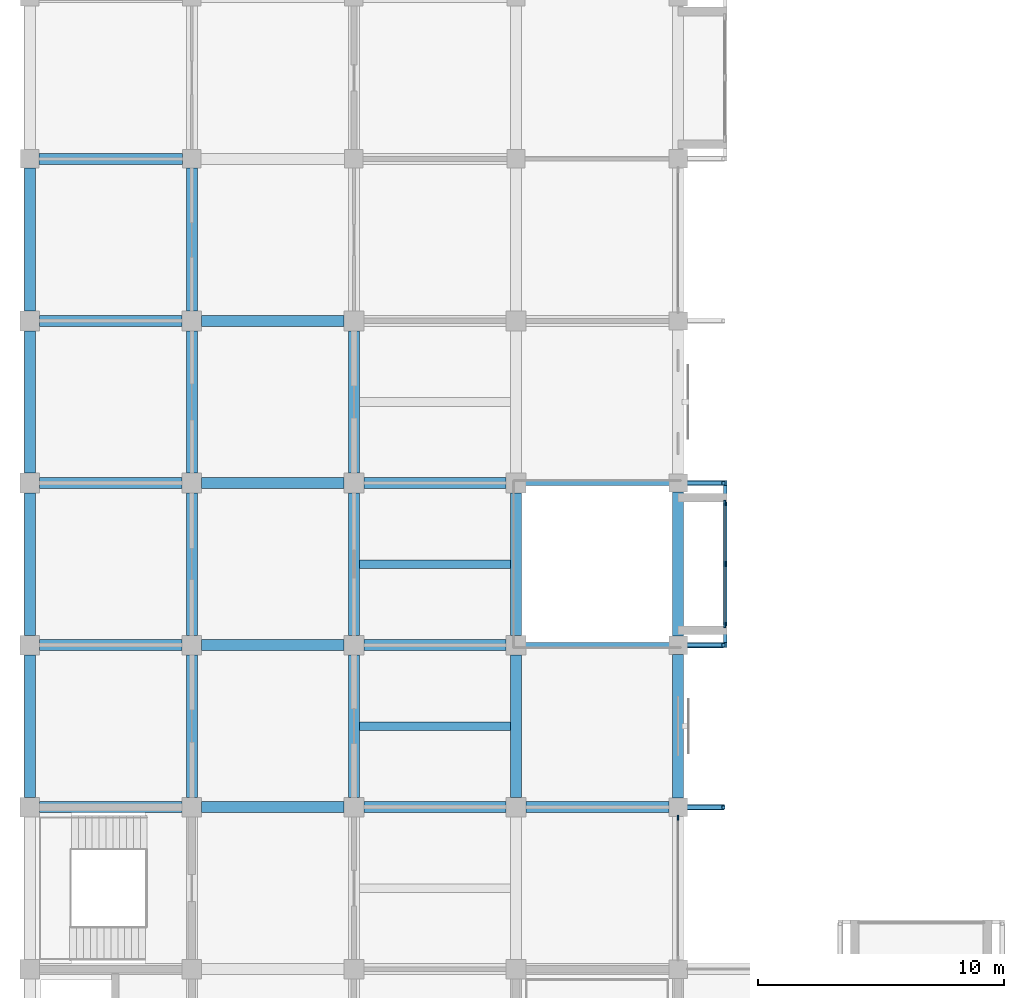
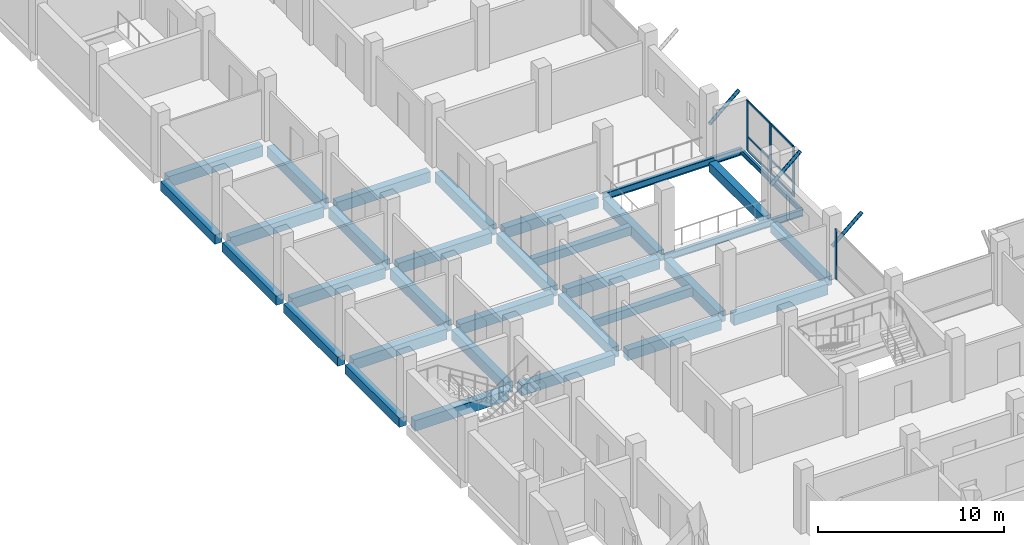
# One storey, part 3 of 14: 33 beams, 13 members, 2 elements without a shape of their own.
"""IFC4 building model written with IfcOpenShell, lengths in metres."""

from ifc_helpers import new_model, si_unit, direction, frame, origin, origin_2d, place, context, subcontext, project, spatial, rectangle, hollow_circle, i_section, extrude, material, material_profile, profile_set, type_object, element, aggregate, save


model = new_model("IFC4")

# Units and contexts
model_context = context("Model", 3, precision=1e-05, world=origin(), true_north=direction((0.0, 1.0)))
body_context = subcontext(model_context, "Body", "Model", "MODEL_VIEW")
ifc_project = project(units=[si_unit("LENGTHUNIT", "METRE"), si_unit("AREAUNIT", "SQUARE_METRE"), si_unit("VOLUMEUNIT", "CUBIC_METRE"), si_unit("PLANEANGLEUNIT", "RADIAN"), si_unit("MASSUNIT", "GRAM", prefix="KILO")], contexts=[model_context])

# Site, building, storey
site_placement = place(None, origin())
site = spatial("IfcSite", under=ifc_project, at=site_placement, CompositionType="ELEMENT")
building_placement = place(site_placement, origin())
building = spatial("IfcBuilding", under=site, at=building_placement, Name="Rusizi Kubbe Research Institute", CompositionType="ELEMENT")
storey_placement = place(building_placement, frame((0.0, 0.0, 31.199951171875)))
storey = spatial("IfcBuildingStorey", under=building, at=storey_placement, Name="L07", CompositionType="ELEMENT", Elevation=31.199951171875)

# Beams
ifc_material_1 = material(Name="Steel S355", Category="steel")
ifc_material_profile_1 = material_profile(ifc_material_1, i_section(OverallWidth=0.14990234375, OverallDepth=0.300048828125, WebThickness=0.007080078125, FlangeThickness=0.0107421875, at=origin_2d()), Name="IPE 300")
ifc_profile_set_1 = profile_set([ifc_material_profile_1], Name="Steel S355")
beam_type_1 = type_object("IfcBeamType", Name="BM-IPE300", PredefinedType="BEAM", material=ifc_profile_set_1)
beam_1_placement = place(storey_placement, frame((28.324951171875, 39.695068359375, -0.47998046875), z_axis=(0.0, 1.0, 0.0), x_axis=(-1.0, 0.0, 0.0)))
element("IfcBeam", 1, at=beam_1_placement, inside=storey, type_object=beam_type_1, Name="Cumba Edge Tie Beam L07-1", PredefinedType="BEAM", context=body_context, shape_type="SweptSolid", body=[
    extrude(i_section(OverallWidth=0.14990234375, OverallDepth=0.300048828125, WebThickness=0.007080078125, FlangeThickness=0.0107421875, at=origin_2d()), origin(), (0.0, 0.0, 1.0), 6.409912109375),
])
ifc_material_2 = material(Name="Steel S355", Category="steel")
ifc_material_profile_2 = material_profile(ifc_material_2, i_section(OverallWidth=0.18994140625, OverallDepth=0.449951171875, WebThickness=0.009521484375, FlangeThickness=0.0146484375, at=origin_2d()), Name="IPE 450")
ifc_profile_set_2 = profile_set([ifc_material_profile_2], Name="Steel S355")
beam_type_2 = type_object("IfcBeamType", Name="BM-IPE450", PredefinedType="BEAM", material=ifc_profile_set_2)
for number, where, z_axis, x_axis, name in (
    (2, (19.800048828125, 39.60009765625, -0.554931640625), (1.0, 0.0, 0.0), (0.0, 1.0, 0.0), "Cumba Back-Spanned Cantilever Beam L07-1S"),
    (3, (19.800048828125, 46.199951171875, -0.554931640625), (1.0, 0.0, 0.0), (0.0, 1.0, 0.0), "Cumba Back-Spanned Cantilever Beam L07-1N"),
):
    element("IfcBeam", number, at=place(storey_placement, frame(where, z_axis=z_axis, x_axis=x_axis)), inside=storey, type_object=beam_type_2, Name=name, PredefinedType="BEAM", context=body_context, shape_type="SweptSolid", body=[
        extrude(i_section(OverallWidth=0.18994140625, OverallDepth=0.449951171875, WebThickness=0.009521484375, FlangeThickness=0.0146484375, at=origin_2d()), origin(), (0.0, 0.0, 1.0), 8.599853515625),
    ])
ifc_material_3 = material(Name="Concrete C40/50", Category="concrete")
ifc_material_profile_3 = material_profile(ifc_material_3, rectangle(XDim=0.35009765625, YDim=0.550048828125, at=origin_2d()), Name="RC350x550")
ifc_profile_set_3 = profile_set([ifc_material_profile_3], Name="Concrete C40/50")
beam_type_3 = type_object("IfcBeamType", Name="BM-RC350x550", PredefinedType="JOIST", material=ifc_profile_set_3)
for number, where, z_axis, x_axis, name in (
    (4, (13.425048828125, 36.300048828125, -0.60498046875), (1.0, 0.0, 0.0), (0.0, 1.0, 0.0), "Lab Stiffener Joist L07 (2,5)"),
    (5, (13.425048828125, 42.89990234375, -0.60498046875), (1.0, 0.0, 0.0), (0.0, 1.0, 0.0), "Lab Stiffener Joist L07 (2,6)"),
):
    element("IfcBeam", number, at=place(storey_placement, frame(where, z_axis=z_axis, x_axis=x_axis)), inside=storey, type_object=beam_type_3, Name=name, PredefinedType="JOIST", context=body_context, shape_type="SweptSolid", body=[
        extrude(rectangle(XDim=0.35009765625, YDim=0.550048828125, at=origin_2d()), origin(), (0.0, 0.0, 1.0), 6.14990234375),
    ])
ifc_material_4 = material(Name="Concrete C40/50", Category="concrete")
ifc_material_profile_4 = material_profile(ifc_material_4, rectangle(XDim=0.449951171875, YDim=0.60009765625, at=origin_2d()), Name="RC450x600")
ifc_profile_set_4 = profile_set([ifc_material_profile_4], Name="Concrete C40/50")
beam_type_4 = type_object("IfcBeamType", Name="BM-RC450x600", PredefinedType="SPANDREL", material=ifc_profile_set_4)
for number, where, z_axis, x_axis, name in (
    (6, (0.0, 33.39990234375, -0.6298828125), (0.0, 1.0, 0.0), (-1.0, 0.0, 0.0), "Grid Beam V L07 (0,5)"),
    (7, (0.0, 40.0, -0.6298828125), (0.0, 1.0, 0.0), (-1.0, 0.0, 0.0), "Grid Beam V L07 (0,6)"),
):
    element("IfcBeam", number, at=place(storey_placement, frame(where, z_axis=z_axis, x_axis=x_axis)), inside=storey, type_object=beam_type_4, Name=name, PredefinedType="SPANDREL", context=body_context, shape_type="SweptSolid", body=[
        extrude(rectangle(XDim=0.449951171875, YDim=0.60009765625, at=origin_2d()), origin(), (0.0, 0.0, 1.0), 5.800048828125),
    ])
beam_2_placement = place(storey_placement, frame((0.0, 46.60009765625, -0.6298828125), z_axis=(0.0, 1.0, 0.0), x_axis=(-1.0, 0.0, 0.0)))
element("IfcBeam", 8, at=beam_2_placement, inside=storey, type_object=beam_type_4, Name="Grid Beam V L07 (0,7)", PredefinedType="SPANDREL", context=body_context, shape_type="SweptSolid", body=[
    extrude(rectangle(XDim=0.449951171875, YDim=0.60009765625, at=origin_2d()), origin(), (0.0, 0.0, 1.0), 5.7998046875),
])
beam_3_placement = place(storey_placement, frame((0.0, 53.199951171875, -0.6298828125), z_axis=(0.0, 1.0, 0.0), x_axis=(-1.0, 0.0, 0.0)))
element("IfcBeam", 9, at=beam_3_placement, inside=storey, type_object=beam_type_4, Name="Grid Beam V L07 (0,8)", PredefinedType="SPANDREL", context=body_context, shape_type="SweptSolid", body=[
    extrude(rectangle(XDim=0.449951171875, YDim=0.60009765625, at=origin_2d()), origin(), (0.0, 0.0, 1.0), 5.824951171875),
])
beam_4_placement = place(storey_placement, frame((26.39990234375, 33.375, -0.6298828125), z_axis=(0.0, 1.0, 0.0), x_axis=(-1.0, 0.0, 0.0)))
element("IfcBeam", 10, at=beam_4_placement, inside=storey, type_object=beam_type_4, Name="Grid Beam V L07 (4,5)", PredefinedType="SPANDREL", context=body_context, shape_type="SweptSolid", body=[
    extrude(rectangle(XDim=0.449951171875, YDim=0.60009765625, at=origin_2d()), origin(), (0.0, 0.0, 1.0), 5.85009765625),
])
beam_5_placement = place(storey_placement, frame((26.39990234375, 39.97509765625, -0.6298828125), z_axis=(0.0, 1.0, 0.0), x_axis=(-1.0, 0.0, 0.0)))
element("IfcBeam", 11, at=beam_5_placement, inside=storey, type_object=beam_type_4, Name="Grid Beam V L07 (4,6)", PredefinedType="SPANDREL", context=body_context, shape_type="SweptSolid", body=[
    extrude(rectangle(XDim=0.449951171875, YDim=0.60009765625, at=origin_2d()), origin(), (0.0, 0.0, 1.0), 5.849853515625),
])
ifc_material_5 = material(Name="Concrete C40/50", Category="concrete")
ifc_material_profile_5 = material_profile(ifc_material_5, rectangle(XDim=0.449951171875, YDim=0.699951171875, at=origin_2d()), Name="RC450x700B")
ifc_profile_set_5 = profile_set([ifc_material_profile_5], Name="Concrete C40/50")
beam_type_5 = type_object("IfcBeamType", Name="BM-RC450x700", PredefinedType="BEAM", material=ifc_profile_set_5)
for number, where, z_axis, x_axis, name in (
    (12, (0.39990234375, 33.0, -0.679931640625), (1.0, 0.0, 0.0), (0.0, 1.0, 0.0), "Grid Beam H L07 (0,5)"),
    (13, (0.39990234375, 39.60009765625, -0.679931640625), (1.0, 0.0, 0.0), (0.0, 1.0, 0.0), "Grid Beam H L07 (0,6)"),
    (14, (0.39990234375, 46.199951171875, -0.679931640625), (1.0, 0.0, 0.0), (0.0, 1.0, 0.0), "Grid Beam H L07 (0,7)"),
    (15, (0.39990234375, 52.800048828125, -0.679931640625), (1.0, 0.0, 0.0), (0.0, 1.0, 0.0), "Grid Beam H L07 (0,8)"),
):
    element("IfcBeam", number, at=place(storey_placement, frame(where, z_axis=z_axis, x_axis=x_axis)), inside=storey, type_object=beam_type_5, Name=name, PredefinedType="BEAM", context=body_context, shape_type="SweptSolid", body=[
        extrude(rectangle(XDim=0.449951171875, YDim=0.699951171875, at=origin_2d()), origin(), (0.0, 0.0, 1.0), 5.800048828125),
    ])
beam_6_placement = place(storey_placement, frame((0.375, 59.39990234375, -0.679931640625), z_axis=(1.0, 0.0, 0.0), x_axis=(0.0, 1.0, 0.0)))
element("IfcBeam", 16, at=beam_6_placement, inside=storey, type_object=beam_type_5, Name="Grid Beam H L07 (0,9)", PredefinedType="BEAM", context=body_context, shape_type="SweptSolid", body=[
    extrude(rectangle(XDim=0.449951171875, YDim=0.699951171875, at=origin_2d()), origin(), (0.0, 0.0, 1.0), 5.85009765625),
])
for number, where, z_axis, x_axis, name in (
    (17, (7.0, 33.0, -0.679931640625), (1.0, 0.0, 0.0), (0.0, 1.0, 0.0), "Grid Beam H L07 (1,5)"),
    (18, (7.0, 39.60009765625, -0.679931640625), (1.0, 0.0, 0.0), (0.0, 1.0, 0.0), "Grid Beam H L07 (1,6)"),
    (19, (7.0, 46.199951171875, -0.679931640625), (1.0, 0.0, 0.0), (0.0, 1.0, 0.0), "Grid Beam H L07 (1,7)"),
    (20, (7.0, 52.800048828125, -0.679931640625), (1.0, 0.0, 0.0), (0.0, 1.0, 0.0), "Grid Beam H L07 (1,8)"),
):
    element("IfcBeam", number, at=place(storey_placement, frame(where, z_axis=z_axis, x_axis=x_axis)), inside=storey, type_object=beam_type_5, Name=name, PredefinedType="BEAM", context=body_context, shape_type="SweptSolid", body=[
        extrude(rectangle(XDim=0.449951171875, YDim=0.699951171875, at=origin_2d()), origin(), (0.0, 0.0, 1.0), 5.800048828125),
    ])
for number, where, z_axis, x_axis, name in (
    (21, (13.60009765625, 33.0, -0.679931640625), (1.0, 0.0, 0.0), (0.0, 1.0, 0.0), "Grid Beam H L07 (2,5)"),
    (22, (13.60009765625, 39.60009765625, -0.679931640625), (1.0, 0.0, 0.0), (0.0, 1.0, 0.0), "Grid Beam H L07 (2,6)"),
    (23, (13.60009765625, 46.199951171875, -0.679931640625), (1.0, 0.0, 0.0), (0.0, 1.0, 0.0), "Grid Beam H L07 (2,7)"),
):
    element("IfcBeam", number, at=place(storey_placement, frame(where, z_axis=z_axis, x_axis=x_axis)), inside=storey, type_object=beam_type_5, Name=name, PredefinedType="BEAM", context=body_context, shape_type="SweptSolid", body=[
        extrude(rectangle(XDim=0.449951171875, YDim=0.699951171875, at=origin_2d()), origin(), (0.0, 0.0, 1.0), 5.7998046875),
    ])
beam_7_placement = place(storey_placement, frame((20.199951171875, 33.0, -0.679931640625), z_axis=(1.0, 0.0, 0.0), x_axis=(0.0, 1.0, 0.0)))
element("IfcBeam", 24, at=beam_7_placement, inside=storey, type_object=beam_type_5, Name="Grid Beam H L07 (3,5)", PredefinedType="BEAM", context=body_context, shape_type="SweptSolid", body=[
    extrude(rectangle(XDim=0.449951171875, YDim=0.699951171875, at=origin_2d()), origin(), (0.0, 0.0, 1.0), 5.824951171875),
])
for number, where, z_axis, x_axis, name in (
    (25, (6.60009765625, 33.39990234375, -0.679931640625), (0.0, 1.0, 0.0), (-1.0, 0.0, 0.0), "Grid Beam V L07 (1,5)"),
    (26, (6.60009765625, 40.0, -0.679931640625), (0.0, 1.0, 0.0), (-1.0, 0.0, 0.0), "Grid Beam V L07 (1,6)"),
):
    element("IfcBeam", number, at=place(storey_placement, frame(where, z_axis=z_axis, x_axis=x_axis)), inside=storey, type_object=beam_type_5, Name=name, PredefinedType="BEAM", context=body_context, shape_type="SweptSolid", body=[
        extrude(rectangle(XDim=0.449951171875, YDim=0.699951171875, at=origin_2d()), origin(), (0.0, 0.0, 1.0), 5.800048828125),
    ])
beam_8_placement = place(storey_placement, frame((6.60009765625, 46.60009765625, -0.679931640625), z_axis=(0.0, 1.0, 0.0), x_axis=(-1.0, 0.0, 0.0)))
element("IfcBeam", 27, at=beam_8_placement, inside=storey, type_object=beam_type_5, Name="Grid Beam V L07 (1,7)", PredefinedType="BEAM", context=body_context, shape_type="SweptSolid", body=[
    extrude(rectangle(XDim=0.449951171875, YDim=0.699951171875, at=origin_2d()), origin(), (0.0, 0.0, 1.0), 5.7998046875),
])
beam_9_placement = place(storey_placement, frame((6.60009765625, 53.199951171875, -0.679931640625), z_axis=(0.0, 1.0, 0.0), x_axis=(-1.0, 0.0, 0.0)))
element("IfcBeam", 28, at=beam_9_placement, inside=storey, type_object=beam_type_5, Name="Grid Beam V L07 (1,8)", PredefinedType="BEAM", context=body_context, shape_type="SweptSolid", body=[
    extrude(rectangle(XDim=0.449951171875, YDim=0.699951171875, at=origin_2d()), origin(), (0.0, 0.0, 1.0), 5.824951171875),
])
for number, where, z_axis, x_axis, name in (
    (29, (13.199951171875, 33.39990234375, -0.679931640625), (0.0, 1.0, 0.0), (-1.0, 0.0, 0.0), "Grid Beam V L07 (2,5)"),
    (30, (13.199951171875, 40.0, -0.679931640625), (0.0, 1.0, 0.0), (-1.0, 0.0, 0.0), "Grid Beam V L07 (2,6)"),
):
    element("IfcBeam", number, at=place(storey_placement, frame(where, z_axis=z_axis, x_axis=x_axis)), inside=storey, type_object=beam_type_5, Name=name, PredefinedType="BEAM", context=body_context, shape_type="SweptSolid", body=[
        extrude(rectangle(XDim=0.449951171875, YDim=0.699951171875, at=origin_2d()), origin(), (0.0, 0.0, 1.0), 5.800048828125),
    ])
beam_10_placement = place(storey_placement, frame((13.199951171875, 46.60009765625, -0.679931640625), z_axis=(0.0, 1.0, 0.0), x_axis=(-1.0, 0.0, 0.0)))
element("IfcBeam", 31, at=beam_10_placement, inside=storey, type_object=beam_type_5, Name="Grid Beam V L07 (2,7)", PredefinedType="BEAM", context=body_context, shape_type="SweptSolid", body=[
    extrude(rectangle(XDim=0.449951171875, YDim=0.699951171875, at=origin_2d()), origin(), (0.0, 0.0, 1.0), 5.7998046875),
])
for number, where, z_axis, x_axis, name in (
    (32, (19.800048828125, 33.39990234375, -0.679931640625), (0.0, 1.0, 0.0), (-1.0, 0.0, 0.0), "Grid Beam V L07 (3,5)"),
    (33, (19.800048828125, 40.0, -0.679931640625), (0.0, 1.0, 0.0), (-1.0, 0.0, 0.0), "Grid Beam V L07 (3,6)"),
):
    element("IfcBeam", number, at=place(storey_placement, frame(where, z_axis=z_axis, x_axis=x_axis)), inside=storey, type_object=beam_type_5, Name=name, PredefinedType="BEAM", context=body_context, shape_type="SweptSolid", body=[
        extrude(rectangle(XDim=0.449951171875, YDim=0.699951171875, at=origin_2d()), origin(), (0.0, 0.0, 1.0), 5.800048828125),
    ])

# Members
ifc_material_6 = material(Name="Steel S355", Category="steel")
ifc_material_profile_6 = material_profile(ifc_material_6, hollow_circle(Radius=0.109619140625, WallThickness=0.008056640625, at=origin_2d()), Name="CHS 219.1x8.0")
ifc_profile_set_6 = profile_set([ifc_material_profile_6], Name="Steel S355")
member_type_1 = type_object("IfcMemberType", Name="MB-CHS219", PredefinedType="BRACE", material=ifc_profile_set_6)
for number, where, z_axis, x_axis, name in (
    (34, (26.39990234375, 33.0, 1.880126953125), (0.756409887843, 0.0, 0.654097914362), (0.0, 1.0, 0.0), "Cumba Diagonal Corbel Brace L08-1S"),
    (35, (26.39990234375, 39.60009765625, 1.880126953125), (0.756409887843, 0.0, 0.654097914362), (0.0, 1.0, 0.0), "Cumba Diagonal Corbel Brace L08-1N"),
    (36, (26.39990234375, 46.199951171875, 1.880126953125), (0.756409887843, 0.0, 0.654097914362), (0.0, 1.0, 0.0), "Cumba Diagonal Corbel Brace L08-4N"),
):
    element("IfcMember", number, at=place(storey_placement, frame(where, z_axis=z_axis, x_axis=x_axis)), inside=storey, type_object=member_type_1, Name=name, PredefinedType="BRACE", context=body_context, shape_type="SweptSolid", body=[
        extrude(hollow_circle(Radius=0.109619140625, WallThickness=0.008056640625, at=origin_2d()), origin(), (0.0, 0.0, 1.0), 2.44580078125),
    ])

# Curtain wall, member
ifc_material_7 = material(Name="Thermally Broken Aluminium and Low-E Glazing", Category="aluminium")
curtain_wall_type_1 = type_object("IfcCurtainWallType", Name="CW-10", PredefinedType="NOTDEFINED", material=ifc_material_7)
curtain_wall_1_placement = place(storey_placement, origin())
curtain_wall_1 = element("IfcCurtainWall", 37, at=curtain_wall_1_placement, inside=storey, type_object=curtain_wall_type_1, Name="Unitised Facade Curtain Wall CW-L07-V-04-04", PredefinedType="NOTDEFINED")
ifc_material_8 = material(Name="Aluminium Alloy 6063-T6", Category="aluminium")
ifc_material_profile_7 = material_profile(ifc_material_8, rectangle(XDim=0.06494140625, YDim=0.199951171875, at=origin_2d()), Name="ALU-M 65x200")
ifc_profile_set_7 = profile_set([ifc_material_profile_7], Name="Aluminium Alloy 6063-T6")
member_type_2 = type_object("IfcMemberType", Name="ML-03", PredefinedType="MULLION", material=ifc_profile_set_7)
member_1_placement = place(storey_placement, frame((26.39990234375, 32.5625, 0.0), z_axis=(0.0, 0.0, 1.0), x_axis=(-1.0, 0.0, 0.0)))
member_1 = element("IfcMember", 38, at=member_1_placement, type_object=member_type_2, Name="CW-10 mullion 2", PredefinedType="MULLION", context=body_context, shape_type="SweptSolid", body=[
    extrude(rectangle(XDim=0.06494140625, YDim=0.199951171875, at=origin_2d()), origin(), (0.0, 0.0, 1.0), 3.280029296875),
])
aggregate(curtain_wall_1, [member_1])

# Curtain wall, members
ifc_material_9 = material(Name="Thermally Broken Aluminium and Low-E Glazing", Category="aluminium")
curtain_wall_type_2 = type_object("IfcCurtainWallType", Name="CW-03", PredefinedType="NOTDEFINED", material=ifc_material_9)
curtain_wall_2_placement = place(storey_placement, origin())
curtain_wall_2 = element("IfcCurtainWall", 39, at=curtain_wall_2_placement, inside=storey, type_object=curtain_wall_type_2, Name="Cumba Glazed Curtain Wall CW-CUMBA-L07-081", PredefinedType="NOTDEFINED")
ifc_material_10 = material(Name="Aluminium Alloy 6063-T6", Category="aluminium")
ifc_material_profile_8 = material_profile(ifc_material_10, rectangle(XDim=0.070068359375, YDim=0.219970703125, at=origin_2d()), Name="ALU-M 70x220")
ifc_profile_set_8 = profile_set([ifc_material_profile_8], Name="Aluminium Alloy 6063-T6")
member_type_3 = type_object("IfcMemberType", Name="ML-04", PredefinedType="MULLION", material=ifc_profile_set_8)
member_2_placement = place(storey_placement, frame((28.300048828125, 40.41748046875, 0.0), z_axis=(0.0, 0.0, 1.0), x_axis=(-1.0, 0.0, 0.0)))
member_2 = element("IfcMember", 40, at=member_2_placement, type_object=member_type_3, Name="CW-03 mullion 1", PredefinedType="MULLION", context=body_context, shape_type="SweptSolid", body=[
    extrude(rectangle(XDim=0.070068359375, YDim=0.219970703125, at=origin_2d()), origin(), (0.0, 0.0, 1.0), 3.280029296875),
])
member_3_placement = place(storey_placement, frame((28.300048828125, 42.89990234375, 0.0), z_axis=(0.0, 0.0, 1.0), x_axis=(-1.0, 0.0, 0.0)))
member_3 = element("IfcMember", 41, at=member_3_placement, type_object=member_type_3, Name="CW-03 mullion 2", PredefinedType="MULLION", context=body_context, shape_type="SweptSolid", body=[
    extrude(rectangle(XDim=0.070068359375, YDim=0.219970703125, at=origin_2d()), origin(), (0.0, 0.0, 1.0), 3.280029296875),
])
member_4_placement = place(storey_placement, frame((28.300048828125, 45.382568359375, 0.0), z_axis=(0.0, 0.0, 1.0), x_axis=(-1.0, 0.0, 0.0)))
member_4 = element("IfcMember", 42, at=member_4_placement, type_object=member_type_3, Name="CW-03 mullion 3", PredefinedType="MULLION", context=body_context, shape_type="SweptSolid", body=[
    extrude(rectangle(XDim=0.070068359375, YDim=0.219970703125, at=origin_2d()), origin(), (0.0, 0.0, 1.0), 3.280029296875),
])
ifc_material_11 = material(Name="Aluminium Alloy 6063-T6", Category="aluminium")
ifc_material_profile_9 = material_profile(ifc_material_11, rectangle(XDim=0.06005859375, YDim=0.139892578125, at=origin_2d()), Name="ALU-T 60x140")
ifc_profile_set_9 = profile_set([ifc_material_profile_9], Name="Aluminium Alloy 6063-T6")
member_type_4 = type_object("IfcMemberType", Name="TR-02", PredefinedType="USERDEFINED", material=ifc_profile_set_9)
member_5_placement = place(storey_placement, frame((28.300048828125, 40.452392578125, 0.030029296875), z_axis=(0.0, 1.0, 0.0), x_axis=(-1.0, 0.0, 0.0)))
member_5 = element("IfcMember", 43, at=member_5_placement, type_object=member_type_4, Name="CW-03 transom 1.1", ObjectType="TRANSOM", PredefinedType="USERDEFINED", context=body_context, shape_type="SweptSolid", body=[
    extrude(rectangle(XDim=0.06005859375, YDim=0.139892578125, at=origin_2d()), origin(), (0.0, 0.0, 1.0), 2.41259765625),
])
member_6_placement = place(storey_placement, frame((28.300048828125, 40.452392578125, 0.900146484375), z_axis=(0.0, 1.0, 0.0), x_axis=(-1.0, 0.0, 0.0)))
member_6 = element("IfcMember", 44, at=member_6_placement, type_object=member_type_4, Name="CW-03 transom 1.2", ObjectType="TRANSOM", PredefinedType="USERDEFINED", context=body_context, shape_type="SweptSolid", body=[
    extrude(rectangle(XDim=0.06005859375, YDim=0.139892578125, at=origin_2d()), origin(), (0.0, 0.0, 1.0), 2.41259765625),
])
member_7_placement = place(storey_placement, frame((28.300048828125, 40.452392578125, 3.25), z_axis=(0.0, 1.0, 0.0), x_axis=(-1.0, 0.0, 0.0)))
member_7 = element("IfcMember", 45, at=member_7_placement, type_object=member_type_4, Name="CW-03 transom 1.3", ObjectType="TRANSOM", PredefinedType="USERDEFINED", context=body_context, shape_type="SweptSolid", body=[
    extrude(rectangle(XDim=0.06005859375, YDim=0.139892578125, at=origin_2d()), origin(), (0.0, 0.0, 1.0), 2.41259765625),
])
member_8_placement = place(storey_placement, frame((28.300048828125, 42.93505859375, 0.030029296875), z_axis=(0.0, 1.0, 0.0), x_axis=(-1.0, 0.0, 0.0)))
member_8 = element("IfcMember", 46, at=member_8_placement, type_object=member_type_4, Name="CW-03 transom 2.1", ObjectType="TRANSOM", PredefinedType="USERDEFINED", context=body_context, shape_type="SweptSolid", body=[
    extrude(rectangle(XDim=0.06005859375, YDim=0.139892578125, at=origin_2d()), origin(), (0.0, 0.0, 1.0), 2.412353515625),
])
member_9_placement = place(storey_placement, frame((28.300048828125, 42.93505859375, 0.900146484375), z_axis=(0.0, 1.0, 0.0), x_axis=(-1.0, 0.0, 0.0)))
member_9 = element("IfcMember", 47, at=member_9_placement, type_object=member_type_4, Name="CW-03 transom 2.2", ObjectType="TRANSOM", PredefinedType="USERDEFINED", context=body_context, shape_type="SweptSolid", body=[
    extrude(rectangle(XDim=0.06005859375, YDim=0.139892578125, at=origin_2d()), origin(), (0.0, 0.0, 1.0), 2.412353515625),
])
member_10_placement = place(storey_placement, frame((28.300048828125, 42.93505859375, 3.25), z_axis=(0.0, 1.0, 0.0), x_axis=(-1.0, 0.0, 0.0)))
member_10 = element("IfcMember", 48, at=member_10_placement, type_object=member_type_4, Name="CW-03 transom 2.3", ObjectType="TRANSOM", PredefinedType="USERDEFINED", context=body_context, shape_type="SweptSolid", body=[
    extrude(rectangle(XDim=0.06005859375, YDim=0.139892578125, at=origin_2d()), origin(), (0.0, 0.0, 1.0), 2.412353515625),
])
aggregate(curtain_wall_2, [member_2, member_3, member_4, member_5, member_6, member_7, member_8, member_9, member_10])

save(model, "model.ifc")
